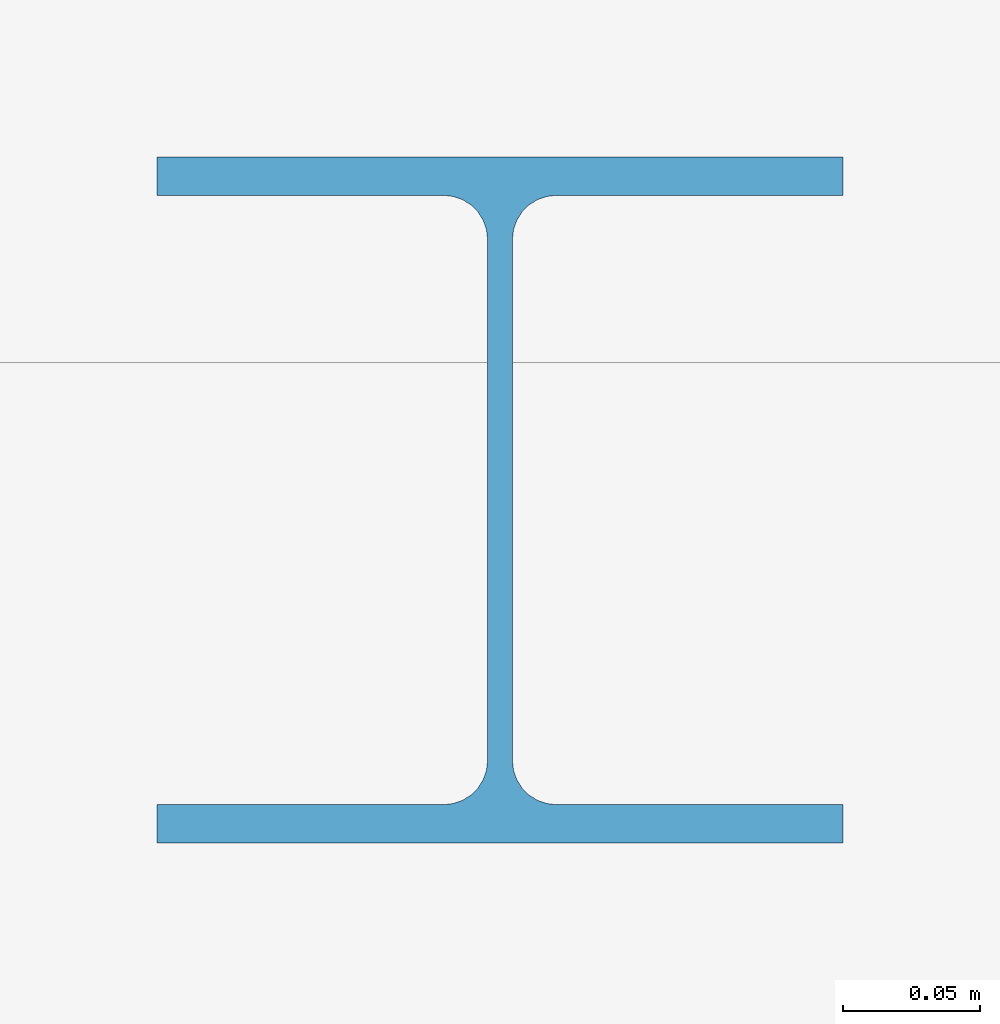
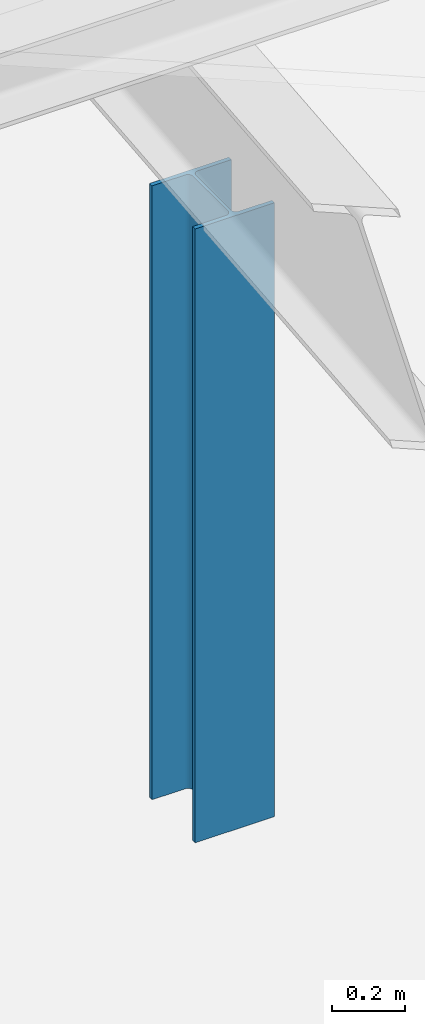
# One storey, part 22 of 44: 1 member.
"""IFC4 building model written with IfcOpenShell, lengths in metres."""

from ifc_helpers import new_model, si_unit, direction, frame, origin, origin_2d, place, context, subcontext, project, spatial, i_section, extrude, material, material_profile, profile_set, type_object, element, save


model = new_model("IFC4")

# Units and contexts
model_context = context("Model", 3, precision=1e-05, world=origin(), true_north=direction((0.0, 1.0)))
body_context = subcontext(model_context, "Body", "Model", "MODEL_VIEW")
ifc_project = project(units=[si_unit("LENGTHUNIT", "METRE"), si_unit("AREAUNIT", "SQUARE_METRE"), si_unit("VOLUMEUNIT", "CUBIC_METRE"), si_unit("PLANEANGLEUNIT", "RADIAN"), si_unit("MASSUNIT", "GRAM", prefix="KILO")], contexts=[model_context])

# Site, building, storey
site_placement = place(None, origin())
site = spatial("IfcSite", under=ifc_project, at=site_placement, CompositionType="ELEMENT")
building_placement = place(site_placement, origin())
building = spatial("IfcBuilding", under=site, at=building_placement, Name="Basin Gate Institute", CompositionType="ELEMENT")
storey_placement = place(building_placement, frame((0.0, 0.0, 27.0)))
storey = spatial("IfcBuildingStorey", under=building, at=storey_placement, Name="L05", CompositionType="ELEMENT", Elevation=27.0)

# Member
ifc_material = material(Name="Structural steel SN490", Category="steel")
ifc_material_profile = material_profile(ifc_material, i_section(OverallWidth=0.25, OverallDepth=0.25, WebThickness=0.009033203125, FlangeThickness=0.013916015625, FilletRadius=0.01611328125, at=origin_2d()), Name="H250x250")
ifc_profile_set = profile_set([ifc_material_profile], Name="Structural steel SN490")
member_type = type_object("IfcMemberType", Name="Umbrella post TC3 R120", PredefinedType="POST", material=ifc_profile_set)
member_placement = place(storey_placement, frame((144.39990234375, 88.5, 0.0), z_axis=(0.0, 0.0, 1.0), x_axis=(1.0, 0.0, 0.0)))
element("IfcMember", 1, at=member_placement, inside=storey, type_object=member_type, material=ifc_profile_set, Name="Umbrella roof post 3/3", PredefinedType="POST", context=body_context, shape_type="SweptSolid", body=[
    extrude(i_section(OverallWidth=0.25, OverallDepth=0.25, WebThickness=0.009033203125, FlangeThickness=0.013916015625, FilletRadius=0.01611328125, at=origin_2d()), origin(), (0.0, 0.0, 1.0), 2.042724609375),
])

save(model, "model.ifc")
